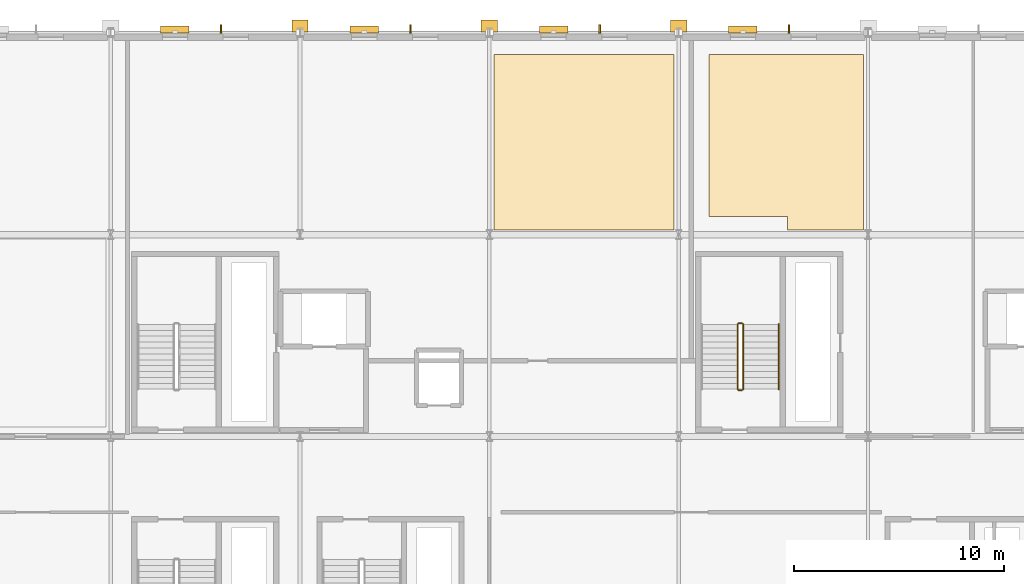
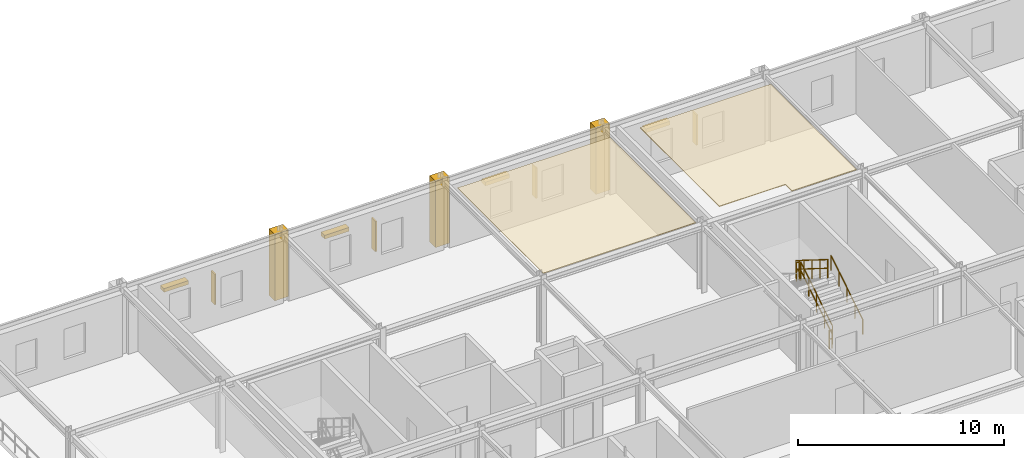
# One storey, part 80 of 81: 8 shading devices, 5 coverings, 5 railings.
"""IFC4 building model written with IfcOpenShell, lengths in metres."""

from ifc_helpers import new_model, si_unit, direction, frame, origin, origin_2d, place, context, subcontext, project, spatial, polyline, rectangle, outline, extrude, material, layer, layer_set, type_object, element, save


model = new_model("IFC4")

# Units and contexts
model_context = context("Model", 3, precision=1e-05, world=origin(), true_north=direction((0.0, 1.0)))
body_context = subcontext(model_context, "Body", "Model", "MODEL_VIEW")
ifc_project = project(units=[si_unit("LENGTHUNIT", "METRE"), si_unit("AREAUNIT", "SQUARE_METRE"), si_unit("VOLUMEUNIT", "CUBIC_METRE"), si_unit("PLANEANGLEUNIT", "RADIAN"), si_unit("MASSUNIT", "GRAM", prefix="KILO")], contexts=[model_context])

# Site, building, storey
site_placement = place(None, origin())
site = spatial("IfcSite", under=ifc_project, at=site_placement, CompositionType="ELEMENT")
building_placement = place(site_placement, origin())
building = spatial("IfcBuilding", under=site, at=building_placement, Name="Myrtia Square Station", CompositionType="ELEMENT")
storey_placement = place(building_placement, frame((0.0, 0.0, 10.800048828125)))
storey = spatial("IfcBuildingStorey", under=building, at=storey_placement, Name="L02", CompositionType="ELEMENT", Elevation=10.800048828125)

# Coverings
ifc_material_1 = material(Name="Pentelic marble ashlar", Category="masonry")
ifc_layer_1 = layer(ifc_material_1, 0.4599609375, Name="Pentelic marble ashlar")
ifc_layer_set_1 = layer_set([ifc_layer_1], Name="Pentelic marble ashlar")
covering_type_1 = type_object("IfcCoveringType", Name="COV-ARCH-ASHLAR", PredefinedType="CLADDING", material=ifc_layer_set_1)
for number, where, z_axis, x_axis, name in (
    (1, (135.0, 125.1201171875, -0.0400390625), (0.0, 0.0, 1.0), (1.0, 0.0, 0.0), "Classical Pentelic ashlar pilaster 073"),
    (2, (144.0, 125.1201171875, -0.0400390625), (0.0, 0.0, 1.0), (1.0, 0.0, 0.0), "Classical Pentelic ashlar pilaster 082"),
    (3, (153.0, 125.1201171875, -0.0400390625), (0.0, 0.0, 1.0), (1.0, 0.0, 0.0), "Classical Pentelic ashlar pilaster 091"),
):
    element("IfcCovering", number, at=place(storey_placement, frame(where, z_axis=z_axis, x_axis=x_axis)), inside=storey, type_object=covering_type_1, Name=name, PredefinedType="CLADDING", context=body_context, shape_type="SweptSolid", body=[
        extrude(rectangle(XDim=0.780029296875, YDim=0.56005859375, at=origin_2d()), origin(), (0.0, 0.0, 1.0), 3.93994140625),
    ])
ifc_material_2 = material(Name="Gypsum plasterboard")
ifc_layer_2 = layer(ifc_material_2, 0.034912109375, Name="Gypsum plasterboard")
ifc_layer_set_2 = layer_set([ifc_layer_2], Name="Gypsum plasterboard")
covering_type_2 = type_object("IfcCoveringType", Name="COV-CEIL-ACOUSTIC", PredefinedType="CEILING", material=ifc_layer_set_2)
covering_1_placement = place(storey_placement, frame((0.0, 0.0, 3.925048828125)))
element("IfcCovering", 4, at=covering_1_placement, inside=storey, type_object=covering_type_2, Name="Acoustic coffer ceiling L02-14", PredefinedType="CEILING", context=body_context, shape_type="SweptSolid", body=[
    extrude(outline(polyline([(152.780029296875, 123.75), (152.780029296875, 115.419921875), (144.219970703125, 115.419921875), (144.219970703125, 123.75), (152.780029296875, 123.75)])), origin(), (0.0, 0.0, 1.0), 0.034912109375),
])
ifc_material_3 = material(Name="Acoustic European oak timber", Category="wood")
ifc_layer_3 = layer(ifc_material_3, 0.044921875, Name="Acoustic European oak timber")
ifc_layer_set_3 = layer_set([ifc_layer_3], Name="Acoustic European oak timber")
covering_type_3 = type_object("IfcCoveringType", Name="COV-CEIL-OAK", PredefinedType="CEILING", material=ifc_layer_set_3)
covering_2_placement = place(storey_placement, frame((0.0, 0.0, 3.9150390625)))
element("IfcCovering", 5, at=covering_2_placement, inside=storey, type_object=covering_type_3, Name="Acoustic coffer ceiling L02-15", PredefinedType="CEILING", context=body_context, shape_type="SweptSolid", body=[
    extrude(outline(polyline([(158.159912109375, 116.050048828125), (154.449951171875, 116.050048828125), (154.449951171875, 123.75), (161.780029296875, 123.75), (161.780029296875, 115.419921875), (158.159912109375, 115.419921875), (158.159912109375, 116.050048828125)])), origin(), (0.0, 0.0, 1.0), 0.044921875),
])

# Railings
ifc_material_4 = material(Name="Dark bronze anodised aluminium", Category="aluminium")
railing_type_1 = type_object("IfcRailingType", Name="RL-HANDRAIL-900", PredefinedType="HANDRAIL", material=ifc_material_4)
railing_1_placement = place(storey_placement, frame((157.760009765625, 107.85009765625, 0.175048828125)))
element("IfcRailing", 6, at=railing_1_placement, inside=storey, type_object=railing_type_1, Name="L02 ST15 stair handrail 1", PredefinedType="HANDRAIL", context=body_context, shape_type="SweptSolid", body=[
    extrude(rectangle(XDim=0.048095703125, YDim=0.048095703125, at=origin_2d()), frame((0.0, 0.029296875, 0.894287109375), z_axis=(0.0, 0.848009633417, 0.529980812513), x_axis=(-1.0, 0.0, 0.0)), (0.0, 0.0, 1.0), 0.838623046875),
    extrude(rectangle(XDim=0.048095703125, YDim=0.048095703125, at=origin_2d()), frame((0.0, 0.79931640625, 1.37548828125), z_axis=(0.0, 0.848009633417, 0.529980812513), x_axis=(-1.0, 0.0, 0.0)), (0.0, 0.0, 1.0), 0.838623046875),
    extrude(rectangle(XDim=0.048095703125, YDim=0.048095703125, at=origin_2d()), frame((0.0, 1.5693359375, 1.856689453125), z_axis=(0.0, 0.848009633417, 0.529980812513), x_axis=(-1.0, 0.0, 0.0)), (0.0, 0.0, 1.0), 0.838623046875),
    extrude(rectangle(XDim=0.048095703125, YDim=0.048095703125, at=origin_2d()), frame((0.0, 2.33935546875, 2.337890625), z_axis=(0.0, 0.848009633417, 0.529980812513), x_axis=(-1.0, 0.0, 0.0)), (0.0, 0.0, 1.0), 0.838623046875),
    extrude(rectangle(XDim=0.0439453125, YDim=0.0439453125, at=origin_2d()), origin(), (0.0, 0.0, 1.0), 0.89990234375),
    extrude(rectangle(XDim=0.0439453125, YDim=0.0439453125, at=origin_2d()), frame((0.0, 0.77001953125, 0.481201171875)), (0.0, 0.0, 1.0), 0.89990234375),
    extrude(rectangle(XDim=0.0439453125, YDim=0.0439453125, at=origin_2d()), frame((0.0, 1.5400390625, 0.96240234375)), (0.0, 0.0, 1.0), 0.89990234375),
    extrude(rectangle(XDim=0.0439453125, YDim=0.0439453125, at=origin_2d()), frame((0.0, 2.309814453125, 1.443603515625)), (0.0, 0.0, 1.0), 0.89990234375),
    extrude(rectangle(XDim=0.0439453125, YDim=0.0439453125, at=origin_2d()), frame((0.0, 3.079833984375, 1.9248046875)), (0.0, 0.0, 1.0), 0.89990234375),
])
ifc_material_5 = material(Name="Wrought iron", Category="steel")
railing_type_2 = type_object("IfcRailingType", Name="RL-INT-GUARD-1100", PredefinedType="BALUSTRADE", material=ifc_material_5)
railing_2_placement = place(storey_placement, frame((156.06005859375, 107.85009765625, 0.175048828125)))
element("IfcRailing", 7, at=railing_2_placement, inside=storey, type_object=railing_type_2, Name="L02 ST15 stair guard 1", PredefinedType="BALUSTRADE", context=body_context, shape_type="SweptSolid", body=[
    extrude(rectangle(XDim=0.048095703125, YDim=0.048095703125, at=origin_2d()), frame((0.0, 0.029296875, 1.114501953125), z_axis=(0.0, 0.848009633417, 0.529980812513), x_axis=(-1.0, 0.0, 0.0)), (0.0, 0.0, 1.0), 0.838623046875),
    extrude(rectangle(XDim=0.048095703125, YDim=0.048095703125, at=origin_2d()), frame((0.0, 0.029296875, 0.600830078125), z_axis=(0.0, 0.848009633417, 0.529980812513), x_axis=(-1.0, 0.0, 0.0)), (0.0, 0.0, 1.0), 0.838623046875),
    extrude(rectangle(XDim=0.048095703125, YDim=0.048095703125, at=origin_2d()), frame((0.0, 0.79931640625, 1.595703125), z_axis=(0.0, 0.848009633417, 0.529980812513), x_axis=(-1.0, 0.0, 0.0)), (0.0, 0.0, 1.0), 0.838623046875),
    extrude(rectangle(XDim=0.048095703125, YDim=0.048095703125, at=origin_2d()), frame((0.0, 0.79931640625, 1.08203125), z_axis=(0.0, 0.848009633417, 0.529980812513), x_axis=(-1.0, 0.0, 0.0)), (0.0, 0.0, 1.0), 0.838623046875),
    extrude(rectangle(XDim=0.048095703125, YDim=0.048095703125, at=origin_2d()), frame((0.0, 1.5693359375, 2.076904296875), z_axis=(0.0, 0.848009633417, 0.529980812513), x_axis=(-1.0, 0.0, 0.0)), (0.0, 0.0, 1.0), 0.838623046875),
    extrude(rectangle(XDim=0.048095703125, YDim=0.048095703125, at=origin_2d()), frame((0.0, 1.5693359375, 1.563232421875), z_axis=(0.0, 0.848009633417, 0.529980812513), x_axis=(-1.0, 0.0, 0.0)), (0.0, 0.0, 1.0), 0.838623046875),
    extrude(rectangle(XDim=0.048095703125, YDim=0.048095703125, at=origin_2d()), frame((0.0, 2.33935546875, 2.55810546875), z_axis=(0.0, 0.848009633417, 0.529980812513), x_axis=(-1.0, 0.0, 0.0)), (0.0, 0.0, 1.0), 0.838623046875),
    extrude(rectangle(XDim=0.048095703125, YDim=0.048095703125, at=origin_2d()), frame((0.0, 2.33935546875, 2.04443359375), z_axis=(0.0, 0.848009633417, 0.529980812513), x_axis=(-1.0, 0.0, 0.0)), (0.0, 0.0, 1.0), 0.838623046875),
    extrude(rectangle(XDim=0.0439453125, YDim=0.0439453125, at=origin_2d()), origin(), (0.0, 0.0, 1.0), 1.1201171875),
    extrude(rectangle(XDim=0.0439453125, YDim=0.0439453125, at=origin_2d()), frame((0.0, 0.77001953125, 0.481201171875)), (0.0, 0.0, 1.0), 1.1201171875),
    extrude(rectangle(XDim=0.0439453125, YDim=0.0439453125, at=origin_2d()), frame((0.0, 1.5400390625, 0.96240234375)), (0.0, 0.0, 1.0), 1.1201171875),
    extrude(rectangle(XDim=0.0439453125, YDim=0.0439453125, at=origin_2d()), frame((0.0, 2.309814453125, 1.443603515625)), (0.0, 0.0, 1.0), 1.1201171875),
    extrude(rectangle(XDim=0.0439453125, YDim=0.0439453125, at=origin_2d()), frame((0.0, 3.079833984375, 1.9248046875)), (0.0, 0.0, 1.0), 1.1201171875),
])
railing_3_placement = place(storey_placement, frame((156.010009765625, 110.97998046875, 2.099853515625)))
element("IfcRailing", 8, at=railing_3_placement, inside=storey, type_object=railing_type_2, Name="L02 ST15 stair guard 2", PredefinedType="BALUSTRADE", context=body_context, shape_type="SweptSolid", body=[
    extrude(rectangle(XDim=0.048095703125, YDim=0.048095703125, at=origin_2d()), frame((-0.03466796875, 0.0, 1.09619140625), z_axis=(-1.0, 0.0, 0.0), x_axis=(0.0, -1.0, 0.0)), (0.0, 0.0, 1.0), 0.090576171875),
    extrude(rectangle(XDim=0.048095703125, YDim=0.048095703125, at=origin_2d()), frame((-0.03466796875, 0.0, 0.58251953125), z_axis=(-1.0, 0.0, 0.0), x_axis=(0.0, -1.0, 0.0)), (0.0, 0.0, 1.0), 0.090576171875),
    extrude(rectangle(XDim=0.0439453125, YDim=0.0439453125, at=origin_2d()), origin(), (0.0, 0.0, 1.0), 1.1201171875),
    extrude(rectangle(XDim=0.0439453125, YDim=0.0439453125, at=origin_2d()), frame((-0.159912109375, 0.0, 0.0)), (0.0, 0.0, 1.0), 1.1201171875),
])
railing_4_placement = place(storey_placement, frame((155.800048828125, 110.929931640625, 2.27490234375)))
element("IfcRailing", 9, at=railing_4_placement, inside=storey, type_object=railing_type_2, Name="L02 ST15 stair guard 3", PredefinedType="BALUSTRADE", context=body_context, shape_type="SweptSolid", body=[
    extrude(rectangle(XDim=0.048095703125, YDim=0.048095703125, at=origin_2d()), frame((0.0, -0.029296875, 1.114501953125), z_axis=(0.0, -0.847979421464, 0.530029150871), x_axis=(1.0, 0.0, 0.0)), (0.0, 0.0, 1.0), 0.838623046875),
    extrude(rectangle(XDim=0.048095703125, YDim=0.048095703125, at=origin_2d()), frame((0.0, -0.029296875, 0.600830078125), z_axis=(0.0, -0.847979421464, 0.530029150871), x_axis=(1.0, 0.0, 0.0)), (0.0, 0.0, 1.0), 0.838623046875),
    extrude(rectangle(XDim=0.048095703125, YDim=0.048095703125, at=origin_2d()), frame((0.0, -0.79931640625, 1.595703125), z_axis=(0.0, -0.847979421464, 0.530029150871), x_axis=(1.0, 0.0, 0.0)), (0.0, 0.0, 1.0), 0.838623046875),
    extrude(rectangle(XDim=0.048095703125, YDim=0.048095703125, at=origin_2d()), frame((0.0, -0.79931640625, 1.08203125), z_axis=(0.0, -0.847979421464, 0.530029150871), x_axis=(1.0, 0.0, 0.0)), (0.0, 0.0, 1.0), 0.838623046875),
    extrude(rectangle(XDim=0.048095703125, YDim=0.048095703125, at=origin_2d()), frame((0.0, -1.5693359375, 2.076904296875), z_axis=(0.0, -0.847979421464, 0.530029150871), x_axis=(1.0, 0.0, 0.0)), (0.0, 0.0, 1.0), 0.838623046875),
    extrude(rectangle(XDim=0.048095703125, YDim=0.048095703125, at=origin_2d()), frame((0.0, -1.5693359375, 1.563232421875), z_axis=(0.0, -0.847979421464, 0.530029150871), x_axis=(1.0, 0.0, 0.0)), (0.0, 0.0, 1.0), 0.838623046875),
    extrude(rectangle(XDim=0.048095703125, YDim=0.048095703125, at=origin_2d()), frame((0.0, -2.33935546875, 2.55810546875), z_axis=(0.0, -0.847979421464, 0.530029150871), x_axis=(1.0, 0.0, 0.0)), (0.0, 0.0, 1.0), 0.838623046875),
    extrude(rectangle(XDim=0.048095703125, YDim=0.048095703125, at=origin_2d()), frame((0.0, -2.33935546875, 2.044677734375), z_axis=(0.0, -0.847979421464, 0.530029150871), x_axis=(1.0, 0.0, 0.0)), (0.0, 0.0, 1.0), 0.838623046875),
    extrude(rectangle(XDim=0.0439453125, YDim=0.0439453125, at=origin_2d()), origin(), (0.0, 0.0, 1.0), 1.1201171875),
    extrude(rectangle(XDim=0.0439453125, YDim=0.0439453125, at=origin_2d()), frame((0.0, -0.77001953125, 0.481201171875)), (0.0, 0.0, 1.0), 1.1201171875),
    extrude(rectangle(XDim=0.0439453125, YDim=0.0439453125, at=origin_2d()), frame((0.0, -1.5400390625, 0.96240234375)), (0.0, 0.0, 1.0), 1.1201171875),
    extrude(rectangle(XDim=0.0439453125, YDim=0.0439453125, at=origin_2d()), frame((0.0, -2.309814453125, 1.44384765625)), (0.0, 0.0, 1.0), 1.1201171875),
    extrude(rectangle(XDim=0.0439453125, YDim=0.0439453125, at=origin_2d()), frame((0.0, -3.079833984375, 1.925048828125)), (0.0, 0.0, 1.0), 1.1201171875),
])
railing_5_placement = place(storey_placement, frame((156.010009765625, 107.800048828125, 0.0)))
element("IfcRailing", 10, at=railing_5_placement, inside=storey, type_object=railing_type_2, Name="L02 ST15 stair guard 4", PredefinedType="BALUSTRADE", context=body_context, shape_type="SweptSolid", body=[
    extrude(rectangle(XDim=0.048095703125, YDim=0.048095703125, at=origin_2d()), frame((-0.03466796875, 0.0, 1.09619140625), z_axis=(-1.0, 0.0, 0.0), x_axis=(0.0, -1.0, 0.0)), (0.0, 0.0, 1.0), 0.090576171875),
    extrude(rectangle(XDim=0.048095703125, YDim=0.048095703125, at=origin_2d()), frame((-0.03466796875, 0.0, 0.58251953125), z_axis=(-1.0, 0.0, 0.0), x_axis=(0.0, -1.0, 0.0)), (0.0, 0.0, 1.0), 0.090576171875),
    extrude(rectangle(XDim=0.0439453125, YDim=0.0439453125, at=origin_2d()), origin(), (0.0, 0.0, 1.0), 1.1201171875),
    extrude(rectangle(XDim=0.0439453125, YDim=0.0439453125, at=origin_2d()), frame((-0.159912109375, 0.0, 0.0)), (0.0, 0.0, 1.0), 1.1201171875),
])

# Shading devices
shading_device_type_1 = type_object("IfcShadingDeviceType", Name="SHD-FIN-BRONZE", PredefinedType="USERDEFINED", material=ifc_material_4)
for number, where, z_axis, x_axis, name in (
    (11, (131.248046875, 124.969970703125, 0.94970703125), (0.0, 0.0, 1.0), (1.0, 0.0, 0.0), "Vertical bronze solar fin SHF-056"),
    (12, (140.248046875, 124.969970703125, 0.94970703125), (0.0, 0.0, 1.0), (1.0, 0.0, 0.0), "Vertical bronze solar fin SHF-057"),
    (13, (149.248046875, 124.969970703125, 0.94970703125), (0.0, 0.0, 1.0), (1.0, 0.0, 0.0), "Vertical bronze solar fin SHF-058"),
    (14, (158.248046875, 124.969970703125, 0.94970703125), (0.0, 0.0, 1.0), (1.0, 0.0, 0.0), "Vertical bronze solar fin SHF-059"),
):
    element("IfcShadingDevice", number, at=place(storey_placement, frame(where, z_axis=z_axis, x_axis=x_axis)), inside=storey, type_object=shading_device_type_1, Name=name, ObjectType="FIN", PredefinedType="USERDEFINED", context=body_context, shape_type="SweptSolid", body=[
        extrude(rectangle(XDim=0.080078125, YDim=0.389892578125, at=origin_2d()), origin(), (0.0, 0.0, 1.0), 1.800048828125),
    ])
shading_device_type_2 = type_object("IfcShadingDeviceType", Name="SHD-JALOUSIE-BRONZE", PredefinedType="JALOUSIE", material=ifc_material_4)
for number, where, z_axis, x_axis, name in (
    (15, (129.052001953125, 124.949951171875, 2.68994140625), (0.0, 0.0, 1.0), (1.0, 0.0, 0.0), "Mediterranean bronze solar louvre SHL-056"),
    (16, (138.052001953125, 124.949951171875, 2.68994140625), (0.0, 0.0, 1.0), (1.0, 0.0, 0.0), "Mediterranean bronze solar louvre SHL-057"),
    (17, (147.052001953125, 124.949951171875, 2.68994140625), (0.0, 0.0, 1.0), (1.0, 0.0, 0.0), "Mediterranean bronze solar louvre SHL-058"),
    (18, (156.052001953125, 124.949951171875, 2.68994140625), (0.0, 0.0, 1.0), (1.0, 0.0, 0.0), "Mediterranean bronze solar louvre SHL-059"),
):
    element("IfcShadingDevice", number, at=place(storey_placement, frame(where, z_axis=z_axis, x_axis=x_axis)), inside=storey, type_object=shading_device_type_2, Name=name, PredefinedType="JALOUSIE", context=body_context, shape_type="SweptSolid", body=[
        extrude(rectangle(XDim=1.360107421875, YDim=0.35009765625, at=origin_2d()), origin(), (0.0, 0.0, 1.0), 0.219970703125),
    ])

save(model, "model.ifc")
